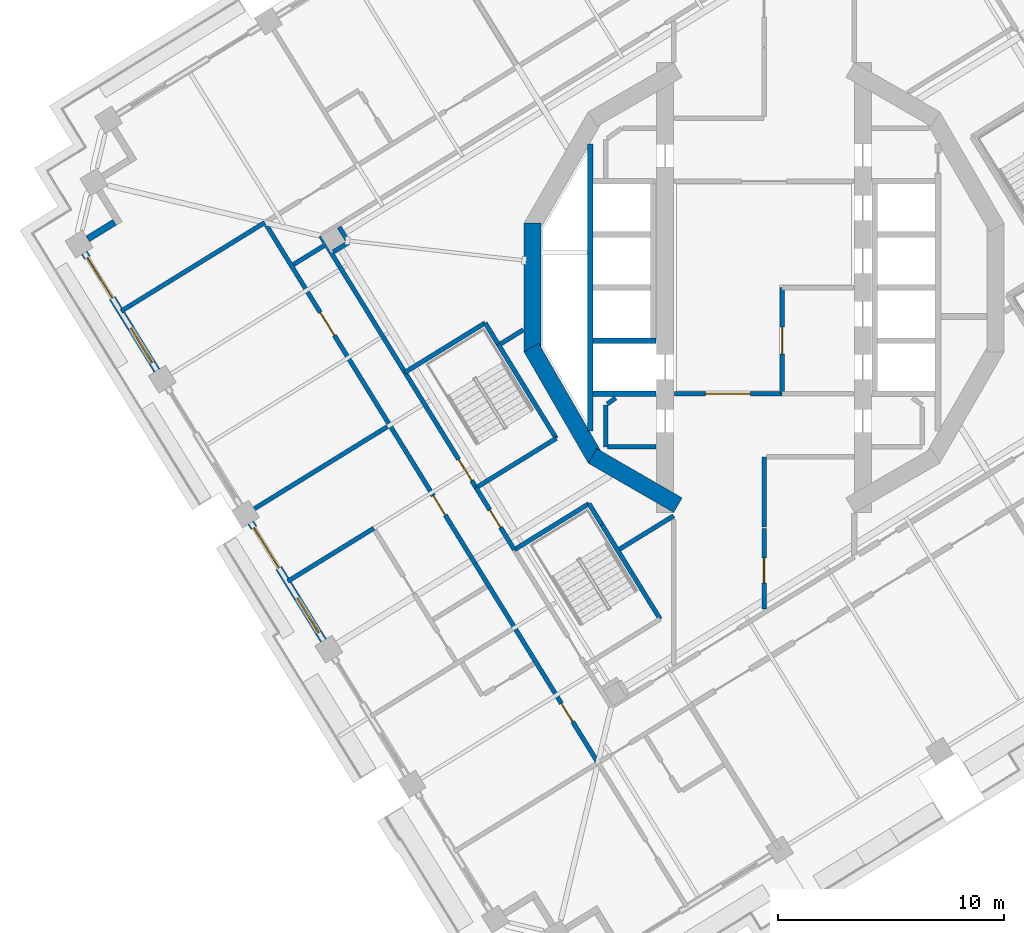
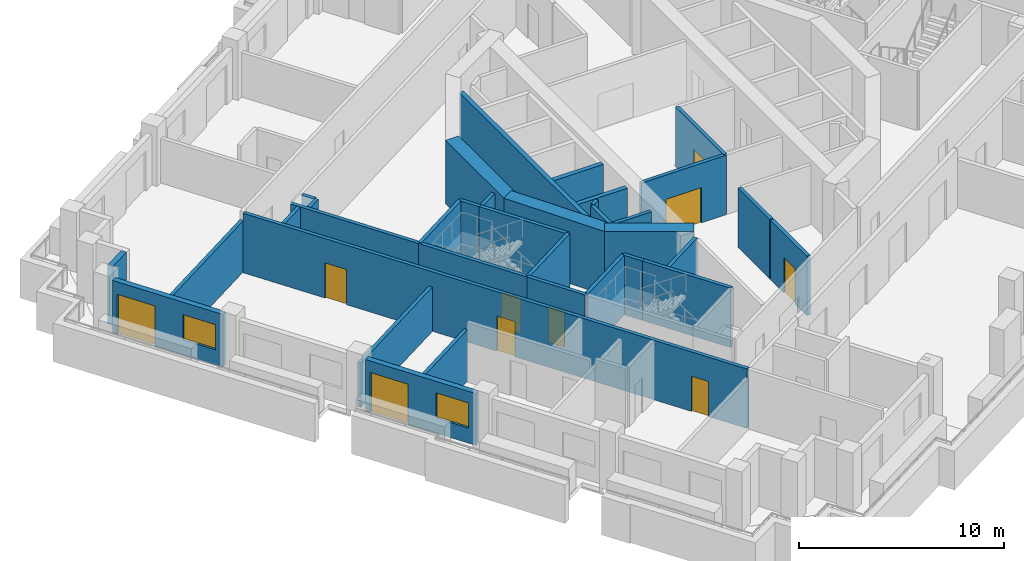
# One storey, part 5 of 21: 35 walls, 10 doors, 2 windows, 12 openings.
"""IFC4 building model written with IfcOpenShell, lengths in metres."""

from ifc_helpers import new_model, si_unit, direction, frame, frame_2d, origin, place, context, subcontext, project, spatial, rectangle, extrude, material, layer, layer_set, type_object, element, fill, save


model = new_model("IFC4")

# Units and contexts
model_context = context("Model", 3, precision=1e-05, world=origin(), true_north=direction((0.0, 1.0)))
body_context = subcontext(model_context, "Body", "Model", "MODEL_VIEW")
ifc_project = project(units=[si_unit("LENGTHUNIT", "METRE"), si_unit("AREAUNIT", "SQUARE_METRE"), si_unit("VOLUMEUNIT", "CUBIC_METRE"), si_unit("PLANEANGLEUNIT", "RADIAN"), si_unit("MASSUNIT", "GRAM", prefix="KILO")], contexts=[model_context])

# Site, building, storey
site_placement = place(None, origin())
site = spatial("IfcSite", under=ifc_project, at=site_placement, CompositionType="ELEMENT")
building_placement = place(site_placement, origin())
building = spatial("IfcBuilding", under=site, at=building_placement, Name="Cantera Rosa Tower", CompositionType="ELEMENT")
storey_placement = place(building_placement, frame((0.0, 0.0, 170.39990234375)))
storey = spatial("IfcBuildingStorey", under=building, at=storey_placement, Name="L37", CompositionType="ELEMENT", Elevation=170.39990234375)

# Wall, openings, doors
ifc_material_1 = material(Name="Gypsum board partition")
ifc_layer_1 = layer(ifc_material_1, 0.199951171875)
ifc_layer_set_1 = layer_set([ifc_layer_1], Name="CORRIDOR WALL 200 H3550")
wall_type_1 = type_object("IfcWallType", Name="CORRIDOR WALL 200 H3550", PredefinedType="PARTITIONING", material=ifc_layer_set_1)
wall_1_placement = place(storey_placement, frame((-22.037109375, 2.77392578125, 0.0), z_axis=(0.0, 0.0, 1.0), x_axis=(0.524973936666, -0.85111830307, 0.0)))
wall_1 = element("IfcWall", 1, at=wall_1_placement, inside=storey, type_object=wall_type_1, Name="CORRIDOR WALL L37-002", PredefinedType="PARTITIONING", context=body_context, shape_type="SweptSolid", body=[
    extrude(rectangle(XDim=27.97998046875, YDim=0.199951171875, at=frame_2d((13.989990234375, 0.0))), origin(), (0.0, 0.0, 1.0), 3.550048828125),
])
opening_1_placement = place(wall_1_placement, frame((4.550048828125, 0.0, 0.0)))
opening_1 = element("IfcOpeningElement", 2, at=opening_1_placement, cuts=wall_1, Name="Opening L37-043", PredefinedType="OPENING", context=body_context, shape_type="SweptSolid", body=[
    extrude(rectangle(XDim=1.199951171875, YDim=2.10009765625, at=frame_2d((0.60009765625, 1.050048828125))), frame((0.0, 0.10986328125, 0.0), z_axis=(0.0, -1.0, 0.0), x_axis=(1.0, 0.0, 0.0)), (0.0, 0.0, 1.0), 0.219970703125),
])
opening_2_placement = place(wall_1_placement, frame((14.0849609375, 0.0, 0.0)))
opening_2 = element("IfcOpeningElement", 3, at=opening_2_placement, cuts=wall_1, Name="Opening L37-044", PredefinedType="OPENING", context=body_context, shape_type="SweptSolid", body=[
    extrude(rectangle(XDim=1.0, YDim=2.10009765625, at=frame_2d((0.5, 1.050048828125))), frame((0.0, 0.10986328125, 0.0), z_axis=(0.0, -1.0, 0.0), x_axis=(1.0, 0.0, 0.0)), (0.0, 0.0, 1.0), 0.219970703125),
])
opening_3_placement = place(wall_1_placement, frame((24.889892578125, 0.0, 0.0)))
opening_3 = element("IfcOpeningElement", 4, at=opening_3_placement, cuts=wall_1, Name="Opening L37-047", PredefinedType="OPENING", context=body_context, shape_type="SweptSolid", body=[
    extrude(rectangle(XDim=0.949951171875, YDim=2.10009765625, at=frame_2d((0.47509765625, 1.050048828125))), frame((0.0, 0.10986328125, 0.0), z_axis=(0.0, -1.0, 0.0), x_axis=(1.0, 0.0, 0.0)), (0.0, 0.0, 1.0), 0.219970703125),
])
ifc_material_2 = material(Name="Timber door leaf", Category="wood")
door_type_1 = type_object("IfcDoorType", Name="ENTRANCE DOOR 1000x2100", OperationType="NOTDEFINED", PredefinedType="DOOR", material=ifc_material_2)
door_1_placement = place(opening_2_placement, origin())
door_1 = element("IfcDoor", 5, at=door_1_placement, inside=storey, type_object=door_type_1, Name="DOOR L37-044", OperationType="NOTDEFINED", OverallHeight=2.10009765625, OverallWidth=1.0, PredefinedType="DOOR", context=body_context, shape_type="SweptSolid", body=[
    extrude(rectangle(XDim=1.0, YDim=2.10009765625, at=frame_2d((0.5, 1.050048828125))), frame((0.0, 0.02490234375, 0.0), z_axis=(0.0, -1.0, 0.0), x_axis=(1.0, 0.0, 0.0)), (0.0, 0.0, 1.0), 0.050048828125),
])
fill(opening_2, door_1)
ifc_material_3 = material(Name="Timber door leaf", Category="wood")
door_type_2 = type_object("IfcDoorType", Name="ROOM DOOR 1200x2100", OperationType="NOTDEFINED", PredefinedType="DOOR", material=ifc_material_3)
door_2_placement = place(opening_1_placement, origin())
door_2 = element("IfcDoor", 6, at=door_2_placement, inside=storey, type_object=door_type_2, Name="DOOR L37-043", OperationType="NOTDEFINED", OverallHeight=2.10009765625, OverallWidth=1.199951171875, PredefinedType="DOOR", context=body_context, shape_type="SweptSolid", body=[
    extrude(rectangle(XDim=1.199951171875, YDim=2.10009765625, at=frame_2d((0.60009765625, 1.050048828125))), frame((0.0, 0.02490234375, 0.0), z_axis=(0.0, -1.0, 0.0), x_axis=(1.0, 0.0, 0.0)), (0.0, 0.0, 1.0), 0.050048828125),
])
fill(opening_1, door_2)
ifc_material_4 = material(Name="Timber door leaf", Category="wood")
door_type_3 = type_object("IfcDoorType", Name="ROOM DOOR 950x2100", OperationType="NOTDEFINED", PredefinedType="DOOR", material=ifc_material_4)
door_3_placement = place(opening_3_placement, origin())
door_3 = element("IfcDoor", 7, at=door_3_placement, inside=storey, type_object=door_type_3, Name="DOOR L37-047", OperationType="NOTDEFINED", OverallHeight=2.10009765625, OverallWidth=0.949951171875, PredefinedType="DOOR", context=body_context, shape_type="SweptSolid", body=[
    extrude(rectangle(XDim=0.949951171875, YDim=2.10009765625, at=frame_2d((0.47509765625, 1.050048828125))), frame((0.0, 0.02490234375, 0.0), z_axis=(0.0, -1.0, 0.0), x_axis=(1.0, 0.0, 0.0)), (0.0, 0.0, 1.0), 0.050048828125),
])
fill(opening_3, door_3)

# Walls
wall_2_placement = place(storey_placement, frame((-20.8349609375, 1.015380859375, 0.0), z_axis=(0.0, 0.0, 1.0), x_axis=(0.851143253059, 0.52493348414, 0.0)))
element("IfcWall", 8, at=wall_2_placement, inside=storey, type_object=wall_type_1, Name="CORRIDOR WALL L37-004", PredefinedType="PARTITIONING", context=body_context, shape_type="SweptSolid", body=[
    extrude(rectangle(XDim=1.579833984375, YDim=0.199951171875, at=frame_2d((0.7900390625, 0.0))), origin(), (0.0, 0.0, 1.0), 3.550048828125),
])
wall_3_placement = place(storey_placement, frame((-19.623291015625, 2.2890625, 0.0), z_axis=(0.0, 0.0, 1.0), x_axis=(0.524973806956, -0.851118383076, 0.0)))
element("IfcWall", 9, at=wall_3_placement, inside=storey, type_object=wall_type_1, Name="CORRIDOR WALL L37-005", PredefinedType="PARTITIONING", context=body_context, shape_type="SweptSolid", body=[
    extrude(rectangle(XDim=7.100830078125, YDim=0.199951171875, at=frame_2d((3.55029296875, 0.0))), origin(), (0.0, 0.0, 1.0), 3.550048828125),
])

# Wall, opening, door
wall_4_placement = place(storey_placement, frame((-12.74560546875, -8.861328125, 0.0), z_axis=(0.0, 0.0, 1.0), x_axis=(0.524959112102, -0.851127446756, 0.0)))
wall_4 = element("IfcWall", 10, at=wall_4_placement, inside=storey, type_object=wall_type_1, Name="CORRIDOR WALL L37-016", PredefinedType="PARTITIONING", context=body_context, shape_type="SweptSolid", body=[
    extrude(rectangle(XDim=3.223876953125, YDim=0.199951171875, at=frame_2d((1.61181640625, 0.0))), origin(), (0.0, 0.0, 1.0), 3.550048828125),
])
opening_4_placement = place(wall_4_placement, frame((1.161865234375, 0.0, 0.0)))
opening_4 = element("IfcOpeningElement", 11, at=opening_4_placement, cuts=wall_4, Name="Opening L37-007", PredefinedType="OPENING", context=body_context, shape_type="SweptSolid", body=[
    extrude(rectangle(XDim=0.89990234375, YDim=2.10009765625, at=frame_2d((0.449951171875, 1.050048828125))), frame((0.0, 0.10986328125, 0.0), z_axis=(0.0, -1.0, 0.0), x_axis=(1.0, 0.0, 0.0)), (0.0, 0.0, 1.0), 0.219970703125),
])
ifc_material_5 = material(Name="Timber door leaf", Category="wood")
door_type_4 = type_object("IfcDoorType", Name="SERVICE DOOR 900x2100", OperationType="NOTDEFINED", PredefinedType="DOOR", material=ifc_material_5)
door_4_placement = place(opening_4_placement, origin())
door_4 = element("IfcDoor", 12, at=door_4_placement, inside=storey, type_object=door_type_4, Name="DOOR L37-007", OperationType="NOTDEFINED", OverallHeight=2.10009765625, OverallWidth=0.89990234375, PredefinedType="DOOR", context=body_context, shape_type="SweptSolid", body=[
    extrude(rectangle(XDim=0.89990234375, YDim=2.10009765625, at=frame_2d((0.449951171875, 1.050048828125))), frame((0.0, 0.02490234375, 0.0), z_axis=(0.0, -1.0, 0.0), x_axis=(1.0, 0.0, 0.0)), (0.0, 0.0, 1.0), 0.050048828125),
])
fill(opening_4, door_4)

wall_5_placement = place(storey_placement, frame((0.0, -10.6552734375, 0.0), z_axis=(0.0, 0.0, 1.0), x_axis=(0.0, -1.0, 0.0)))
wall_5 = element("IfcWall", 13, at=wall_5_placement, inside=storey, type_object=wall_type_1, Name="CORRIDOR WALL L37-061", PredefinedType="PARTITIONING", context=body_context, shape_type="SweptSolid", body=[
    extrude(rectangle(XDim=3.57763671875, YDim=0.199951171875, at=frame_2d((1.788818359375, 0.0))), origin(), (0.0, 0.0, 1.0), 3.550048828125),
])
opening_5_placement = place(wall_5_placement, frame((1.31884765625, 0.0, 0.0)))
opening_5 = element("IfcOpeningElement", 14, at=opening_5_placement, cuts=wall_5, Name="Opening L37-017", PredefinedType="OPENING", context=body_context, shape_type="SweptSolid", body=[
    extrude(rectangle(XDim=1.10009765625, YDim=2.10009765625, at=frame_2d((0.550048828125, 1.050048828125))), frame((0.0, 0.10986328125, 0.0), z_axis=(0.0, -1.0, 0.0), x_axis=(1.0, 0.0, 0.0)), (0.0, 0.0, 1.0), 0.219970703125),
])
ifc_material_6 = material(Name="Timber door leaf", Category="wood")
door_type_5 = type_object("IfcDoorType", Name="ROOM DOOR 1100x2100", OperationType="NOTDEFINED", PredefinedType="DOOR", material=ifc_material_6)
door_5_placement = place(opening_5_placement, origin())
door_5 = element("IfcDoor", 15, at=door_5_placement, inside=storey, type_object=door_type_5, Name="DOOR L37-017", OperationType="NOTDEFINED", OverallHeight=2.10009765625, OverallWidth=1.10009765625, PredefinedType="DOOR", context=body_context, shape_type="SweptSolid", body=[
    extrude(rectangle(XDim=1.10009765625, YDim=2.10009765625, at=frame_2d((0.550048828125, 1.050048828125))), frame((0.0, 0.02490234375, 0.0), z_axis=(0.0, -1.0, 0.0), x_axis=(1.0, 0.0, 0.0)), (0.0, 0.0, 1.0), 0.050048828125),
])
fill(opening_5, door_5)

# Wall
wall_6_placement = place(storey_placement, frame((0.0, -7.5, 0.0), z_axis=(0.0, 0.0, 1.0), x_axis=(0.0, -1.0, 0.0)))
element("IfcWall", 16, at=wall_6_placement, inside=storey, type_object=wall_type_1, Name="CORRIDOR WALL L37-062", PredefinedType="PARTITIONING", context=body_context, shape_type="SweptSolid", body=[
    extrude(rectangle(XDim=3.09521484375, YDim=0.199951171875, at=frame_2d((1.547607421875, 0.0))), origin(), (0.0, 0.0, 1.0), 3.550048828125),
])

# Wall, opening, door
wall_7_placement = place(storey_placement, frame((0.800048828125, -4.699951171875, 0.0), z_axis=(0.0, 0.0, 1.0), x_axis=(-1.0, 0.0, 0.0)))
wall_7 = element("IfcWall", 17, at=wall_7_placement, inside=storey, type_object=wall_type_1, Name="CORRIDOR WALL L37-066", PredefinedType="PARTITIONING", context=body_context, shape_type="SweptSolid", body=[
    extrude(rectangle(XDim=4.77001953125, YDim=0.199951171875, at=frame_2d((2.385009765625, 0.0))), origin(), (0.0, 0.0, 1.0), 3.550048828125),
])
opening_6_placement = place(wall_7_placement, frame((1.39990234375, 0.0, 0.0)))
opening_6 = element("IfcOpeningElement", 18, at=opening_6_placement, cuts=wall_7, Name="Opening L37-014", PredefinedType="OPENING", context=body_context, shape_type="SweptSolid", body=[
    extrude(rectangle(XDim=2.0, YDim=2.10009765625, at=frame_2d((1.0, 1.050048828125))), frame((0.0, 0.10986328125, 0.0), z_axis=(0.0, -1.0, 0.0), x_axis=(1.0, 0.0, 0.0)), (0.0, 0.0, 1.0), 0.219970703125),
])
ifc_material_7 = material(Name="Steel S355J2 (EN 10025-2)", Category="steel")
door_type_6 = type_object("IfcDoorType", Name="LOBBY SCREEN DOOR 2000x2100", OperationType="NOTDEFINED", PredefinedType="DOOR", material=ifc_material_7)
door_6_placement = place(opening_6_placement, origin())
door_6 = element("IfcDoor", 19, at=door_6_placement, inside=storey, type_object=door_type_6, Name="DOOR L37-014", OperationType="NOTDEFINED", OverallHeight=2.10009765625, OverallWidth=2.0, PredefinedType="DOOR", context=body_context, shape_type="SweptSolid", body=[
    extrude(rectangle(XDim=2.0, YDim=2.10009765625, at=frame_2d((1.0, 1.050048828125))), frame((0.0, 0.02490234375, 0.0), z_axis=(0.0, -1.0, 0.0), x_axis=(1.0, 0.0, 0.0)), (0.0, 0.0, 1.0), 0.050048828125),
])
fill(opening_6, door_6)

# Wall
ifc_material_8 = material(Name="Hollow clay masonry with cantera stone cladding", Category="masonry")
ifc_layer_2 = layer(ifc_material_8, 0.300048828125)
ifc_layer_set_2 = layer_set([ifc_layer_2], Name="EW-LOGGIA 300")
wall_type_2 = type_object("IfcWallType", Name="EW-LOGGIA 300", PredefinedType="SOLIDWALL", material=ifc_layer_set_2)
wall_8_placement = place(storey_placement, frame((-28.74658203125, 2.888916015625, 0.0), z_axis=(0.0, 0.0, 1.0), x_axis=(-0.851040987269, -0.525099264891, 0.0)))
element("IfcWall", 20, at=wall_8_placement, inside=storey, type_object=wall_type_2, Name="EN-L37-W14b", PredefinedType="SOLIDWALL", context=body_context, shape_type="SweptSolid", body=[
    extrude(rectangle(XDim=1.39990234375, YDim=0.300048828125, at=frame_2d((0.699951171875, 0.0))), origin(), (0.0, 0.0, 1.0), 3.5),
])

# Wall, openings, window, door
ifc_material_9 = material(Name="Hollow clay masonry with cantera stone cladding", Category="masonry")
ifc_layer_3 = layer(ifc_material_9, 0.300048828125)
ifc_layer_set_3 = layer_set([ifc_layer_3], Name="EW-LOGGIA 300 H3090")
wall_type_3 = type_object("IfcWallType", Name="EW-LOGGIA 300 H3090", PredefinedType="SOLIDWALL", material=ifc_layer_set_3)
wall_9_placement = place(storey_placement, frame((-22.714111328125, -10.4150390625, 0.0), z_axis=(0.0, 0.0, 1.0), x_axis=(0.524987447654, -0.851109969279, 0.0)))
wall_9 = element("IfcWall", 21, at=wall_9_placement, inside=storey, type_object=wall_type_3, Name="EN-L37-W17", PredefinedType="SOLIDWALL", context=body_context, shape_type="SweptSolid", body=[
    extrude(rectangle(XDim=6.119873046875, YDim=0.300048828125, at=frame_2d((3.06005859375, 0.0))), origin(), (0.0, 0.0, 1.0), 3.090087890625),
])
opening_7_placement = place(wall_9_placement, frame((0.2548828125, 0.0, 0.0)))
opening_7 = element("IfcOpeningElement", 22, at=opening_7_placement, cuts=wall_9, Name="Opening L37-TD25", PredefinedType="OPENING", context=body_context, shape_type="SweptSolid", body=[
    extrude(rectangle(XDim=2.10009765625, YDim=2.39990234375, at=frame_2d((1.050048828125, 1.199951171875))), frame((0.0, 0.159912109375, 0.0), z_axis=(0.0, -1.0, 0.0), x_axis=(1.0, 0.0, 0.0)), (0.0, 0.0, 1.0), 0.320068359375),
])
opening_8_placement = place(wall_9_placement, frame((3.9150390625, 0.0, 0.89990234375)))
opening_8 = element("IfcOpeningElement", 23, at=opening_8_placement, cuts=wall_9, Name="Opening L37-W26", PredefinedType="OPENING", context=body_context, shape_type="SweptSolid", body=[
    extrude(rectangle(XDim=1.800048828125, YDim=1.5, at=frame_2d((0.89990234375, 0.75))), frame((0.0, 0.159912109375, 0.0), z_axis=(0.0, -1.0, 0.0), x_axis=(1.0, 0.0, 0.0)), (0.0, 0.0, 1.0), 0.320068359375),
])
ifc_material_10 = material(Name="Aluminium frame with clear glass", Category="aluminium")
window_type = type_object("IfcWindowType", Name="Hotel room window 1800x1500", PartitioningType="DOUBLE_PANEL_VERTICAL", PredefinedType="WINDOW", material=ifc_material_10)
window_1_placement = place(opening_8_placement, origin())
window_1 = element("IfcWindow", 24, at=window_1_placement, inside=storey, type_object=window_type, Name="WINDOW L37-W26", OverallHeight=1.5, OverallWidth=1.800048828125, PartitioningType="SINGLE_PANEL", PredefinedType="WINDOW", context=body_context, shape_type="SweptSolid", body=[
    extrude(rectangle(XDim=1.800048828125, YDim=1.5, at=frame_2d((0.89990234375, 0.75))), frame((0.0, 0.030029296875, 0.0), z_axis=(0.0, -1.0, 0.0), x_axis=(1.0, 0.0, 0.0)), (0.0, 0.0, 1.0), 0.06005859375),
])
fill(opening_8, window_1)
ifc_material_11 = material(Name="Aluminium frame with clear glass", Category="aluminium")
door_type_7 = type_object("IfcDoorType", Name="TD-H 2100x2400", OperationType="NOTDEFINED", PredefinedType="DOOR", material=ifc_material_11)
door_7_placement = place(opening_7_placement, origin())
door_7 = element("IfcDoor", 25, at=door_7_placement, inside=storey, type_object=door_type_7, Name="LOGGIA DOOR L37-TD25", OperationType="SLIDING_TO_LEFT", OverallHeight=2.39990234375, OverallWidth=2.10009765625, PredefinedType="DOOR", context=body_context, shape_type="SweptSolid", body=[
    extrude(rectangle(XDim=2.10009765625, YDim=2.39990234375, at=frame_2d((1.050048828125, 1.199951171875))), frame((0.0, 0.02490234375, 0.0), z_axis=(0.0, -1.0, 0.0), x_axis=(1.0, 0.0, 0.0)), (0.0, 0.0, 1.0), 0.050048828125),
])
fill(opening_7, door_7)

ifc_material_12 = material(Name="Hollow clay masonry with cantera stone cladding", Category="masonry")
ifc_layer_4 = layer(ifc_material_12, 0.300048828125)
ifc_layer_set_4 = layer_set([ifc_layer_4], Name="EW-LOGGIA 300 H3140")
wall_type_4 = type_object("IfcWallType", Name="EW-LOGGIA 300 H3140", PredefinedType="SOLIDWALL", material=ifc_layer_set_4)
wall_10_placement = place(storey_placement, frame((-30.084716796875, 1.53466796875, 0.0), z_axis=(0.0, 0.0, 1.0), x_axis=(0.524987447654, -0.851109969279, 0.0)))
wall_10 = element("IfcWall", 26, at=wall_10_placement, inside=storey, type_object=wall_type_4, Name="EN-L37-W15", PredefinedType="SOLIDWALL", context=body_context, shape_type="SweptSolid", body=[
    extrude(rectangle(XDim=6.119873046875, YDim=0.300048828125, at=frame_2d((3.06005859375, 0.0))), origin(), (0.0, 0.0, 1.0), 3.14013671875),
])
opening_9_placement = place(wall_10_placement, frame((0.2548828125, 0.0, 0.0)))
opening_9 = element("IfcOpeningElement", 27, at=opening_9_placement, cuts=wall_10, Name="Opening L37-TD21", PredefinedType="OPENING", context=body_context, shape_type="SweptSolid", body=[
    extrude(rectangle(XDim=2.10009765625, YDim=2.39990234375, at=frame_2d((1.050048828125, 1.199951171875))), frame((0.0, 0.159912109375, 0.0), z_axis=(0.0, -1.0, 0.0), x_axis=(1.0, 0.0, 0.0)), (0.0, 0.0, 1.0), 0.320068359375),
])
opening_10_placement = place(wall_10_placement, frame((3.9150390625, 0.0, 0.89990234375)))
opening_10 = element("IfcOpeningElement", 28, at=opening_10_placement, cuts=wall_10, Name="Opening L37-W22", PredefinedType="OPENING", context=body_context, shape_type="SweptSolid", body=[
    extrude(rectangle(XDim=1.800048828125, YDim=1.5, at=frame_2d((0.89990234375, 0.75))), frame((0.0, 0.159912109375, 0.0), z_axis=(0.0, -1.0, 0.0), x_axis=(1.0, 0.0, 0.0)), (0.0, 0.0, 1.0), 0.320068359375),
])
window_2_placement = place(opening_10_placement, origin())
window_2 = element("IfcWindow", 29, at=window_2_placement, inside=storey, type_object=window_type, Name="WINDOW L37-W22", OverallHeight=1.5, OverallWidth=1.800048828125, PartitioningType="SINGLE_PANEL", PredefinedType="WINDOW", context=body_context, shape_type="SweptSolid", body=[
    extrude(rectangle(XDim=1.800048828125, YDim=1.5, at=frame_2d((0.89990234375, 0.75))), frame((0.0, 0.030029296875, 0.0), z_axis=(0.0, -1.0, 0.0), x_axis=(1.0, 0.0, 0.0)), (0.0, 0.0, 1.0), 0.06005859375),
])
fill(opening_10, window_2)
door_8_placement = place(opening_9_placement, origin())
door_8 = element("IfcDoor", 30, at=door_8_placement, inside=storey, type_object=door_type_7, Name="LOGGIA DOOR L37-TD21", OperationType="SLIDING_TO_LEFT", OverallHeight=2.39990234375, OverallWidth=2.10009765625, PredefinedType="DOOR", context=body_context, shape_type="SweptSolid", body=[
    extrude(rectangle(XDim=2.10009765625, YDim=2.39990234375, at=frame_2d((1.050048828125, 1.199951171875))), frame((0.0, 0.02490234375, 0.0), z_axis=(0.0, -1.0, 0.0), x_axis=(1.0, 0.0, 0.0)), (0.0, 0.0, 1.0), 0.050048828125),
])
fill(opening_9, door_8)

# Walls
ifc_material_13 = material(Name="Gypsum board partition")
ifc_layer_5 = layer(ifc_material_13, 0.199951171875)
ifc_layer_set_5 = layer_set([ifc_layer_5], Name="PARTITION 200 H3050")
wall_type_5 = type_object("IfcWallType", Name="PARTITION 200 H3050", PredefinedType="PARTITIONING", material=ifc_layer_set_5)
wall_11_placement = place(storey_placement, frame((-22.10009765625, 2.876220703125, 0.0), z_axis=(0.0, 0.0, 1.0), x_axis=(-0.85111586596, -0.524977887831, 0.0)))
element("IfcWall", 31, at=wall_11_placement, inside=storey, type_object=wall_type_5, Name="PARTITION L37-001", PredefinedType="PARTITIONING", context=body_context, shape_type="SweptSolid", body=[
    extrude(rectangle(XDim=7.469970703125, YDim=0.199951171875, at=frame_2d((3.73486328125, 0.0))), origin(), (0.0, 0.0, 1.0), 3.050048828125),
])
wall_12_placement = place(storey_placement, frame((-21.082275390625, -13.003662109375, 0.0), z_axis=(0.0, 0.0, 1.0), x_axis=(0.851125318938, 0.524962561963, 0.0)))
element("IfcWall", 32, at=wall_12_placement, inside=storey, type_object=wall_type_5, Name="PARTITION L37-003", PredefinedType="PARTITIONING", context=body_context, shape_type="SweptSolid", body=[
    extrude(rectangle(XDim=4.47021484375, YDim=0.199951171875, at=frame_2d((2.235107421875, 0.0))), origin(), (0.0, 0.0, 1.0), 3.050048828125),
])
ifc_material_14 = material(Name="Gypsum board partition")
ifc_layer_6 = layer(ifc_material_14, 0.199951171875)
ifc_layer_set_6 = layer_set([ifc_layer_6], Name="PARTITION 200 H3550")
wall_type_6 = type_object("IfcWallType", Name="PARTITION 200 H3550", PredefinedType="PARTITIONING", material=ifc_layer_set_6)
wall_13_placement = place(storey_placement, frame((-19.065673828125, 1.575439453125, 0.0), z_axis=(0.0, 0.0, 1.0), x_axis=(0.85101860469, 0.525135539144, 0.0)))
element("IfcWall", 33, at=wall_13_placement, inside=storey, type_object=wall_type_6, Name="PARTITION L37-007", PredefinedType="PARTITIONING", context=body_context, shape_type="SweptSolid", body=[
    extrude(rectangle(XDim=0.800048828125, YDim=0.199951171875, at=frame_2d((0.39990234375, 0.0))), origin(), (0.0, 0.0, 1.0), 3.550048828125),
])
wall_14_placement = place(storey_placement, frame((-18.437255859375, 2.08056640625, 0.0), z_axis=(0.0, 0.0, 1.0), x_axis=(-0.524817119332, 0.851215008829, 0.0)))
element("IfcWall", 34, at=wall_14_placement, inside=storey, type_object=wall_type_6, Name="PARTITION L37-008", PredefinedType="PARTITIONING", context=body_context, shape_type="SweptSolid", body=[
    extrude(rectangle(XDim=0.7001953125, YDim=0.199951171875, at=frame_2d((0.35009765625, 0.0))), origin(), (0.0, 0.0, 1.0), 3.550048828125),
])
wall_15_placement = place(storey_placement, frame((-10.6552734375, -1.87255859375, 0.0), z_axis=(0.0, 0.0, 1.0), x_axis=(-0.851083160227, -0.525030908021, 0.0)))
element("IfcWall", 35, at=wall_15_placement, inside=storey, type_object=wall_type_6, Name="PARTITION L37-023", PredefinedType="PARTITIONING", context=body_context, shape_type="SweptSolid", body=[
    extrude(rectangle(XDim=1.181640625, YDim=0.199951171875, at=frame_2d((0.5908203125, 0.0))), origin(), (0.0, 0.0, 1.0), 3.550048828125),
])
wall_16_placement = place(storey_placement, frame((-7.0, -7.050048828125, 0.0), z_axis=(0.0, 0.0, 1.0), x_axis=(0.0, 1.0, 0.0)))
element("IfcWall", 36, at=wall_16_placement, inside=storey, type_object=wall_type_6, Name="PARTITION L37-037", PredefinedType="PARTITIONING", context=body_context, shape_type="SweptSolid", body=[
    extrude(rectangle(XDim=1.85009765625, YDim=0.199951171875, at=frame_2d((0.925048828125, 0.0))), origin(), (0.0, 0.0, 1.0), 3.550048828125),
])
wall_17_placement = place(storey_placement, frame((-6.935302734375, -5.15283203125, 0.0), z_axis=(0.0, 0.0, 1.0), x_axis=(0.808147744029, 0.58897981614, 0.0)))
element("IfcWall", 37, at=wall_17_placement, inside=storey, type_object=wall_type_6, Name="PARTITION L37-038", PredefinedType="PARTITIONING", context=body_context, shape_type="SweptSolid", body=[
    extrude(rectangle(XDim=0.448974609375, YDim=0.199951171875, at=frame_2d((0.224609375, 0.0))), origin(), (0.0, 0.0, 1.0), 3.550048828125),
])
wall_18_placement = place(storey_placement, frame((-4.780029296875, -7.050048828125, 0.0), z_axis=(0.0, 0.0, 1.0), x_axis=(-1.0, 0.0, 0.0)))
element("IfcWall", 38, at=wall_18_placement, inside=storey, type_object=wall_type_6, Name="PARTITION L37-047", PredefinedType="PARTITIONING", context=body_context, shape_type="SweptSolid", body=[
    extrude(rectangle(XDim=2.139892578125, YDim=0.199951171875, at=frame_2d((1.06982421875, 0.0))), origin(), (0.0, 0.0, 1.0), 3.550048828125),
])
wall_19_placement = place(storey_placement, frame((-4.0, -10.104248046875, 0.0), z_axis=(0.0, 0.0, 1.0), x_axis=(-0.851117804286, -0.524974745323, 0.0)))
element("IfcWall", 39, at=wall_19_placement, inside=storey, type_object=wall_type_6, Name="PARTITION L37-051", PredefinedType="PARTITIONING", context=body_context, shape_type="SweptSolid", body=[
    extrude(rectangle(XDim=2.809326171875, YDim=0.199951171875, at=frame_2d((1.40478515625, 0.0))), origin(), (0.0, 0.0, 1.0), 3.550048828125),
])
ifc_material_15 = material(Name="Gypsum board partition")
ifc_layer_7 = layer(ifc_material_15, 0.199951171875)
ifc_layer_set_7 = layer_set([ifc_layer_7], Name="PARTY WALL 200 H2650")
wall_type_7 = type_object("IfcWallType", Name="PARTY WALL 200 H2650", PredefinedType="PARTITIONING", material=ifc_layer_set_7)
wall_20_placement = place(storey_placement, frame((-16.669189453125, -6.15771484375, 0.0), z_axis=(0.0, 0.0, 1.0), x_axis=(-0.851109277096, -0.52498856982, 0.0)))
element("IfcWall", 40, at=wall_20_placement, inside=storey, type_object=wall_type_7, Name="PARTY WALL L37-012", PredefinedType="PARTITIONING", context=body_context, shape_type="SweptSolid", body=[
    extrude(rectangle(XDim=7.349853515625, YDim=0.199951171875, at=frame_2d((3.6748046875, 0.0))), origin(), (0.0, 0.0, 1.0), 2.650146484375),
])
ifc_material_16 = material(Name="Concrete C60/75", Category="concrete")
ifc_layer_8 = layer(ifc_material_16, 0.75)
ifc_layer_set_8 = layer_set([ifc_layer_8], Name="RC CORE WALL 750 C60/75")
wall_type_8 = type_object("IfcWallType", Name="RC CORE WALL 750 C60/75", PredefinedType="SHEAR", material=ifc_layer_set_8)
wall_21_placement = place(storey_placement, frame((-3.8125, -9.634765625, 0.0), z_axis=(0.0, 0.0, 1.0), x_axis=(-0.866013176292, 0.50002117804, 0.0)))
element("IfcWall", 41, at=wall_21_placement, inside=storey, type_object=wall_type_8, Name="CW-W1 L37", PredefinedType="SHEAR", context=body_context, shape_type="SweptSolid", body=[
    extrude(rectangle(XDim=4.362548828125, YDim=0.75, at=frame_2d((2.18115234375, 0.0))), origin(), (0.0, 0.0, 1.0), 3.800048828125),
])
wall_22_placement = place(storey_placement, frame((-7.453369140625, -7.590576171875, 0.0), z_axis=(0.0, 0.0, 1.0), x_axis=(-0.500021842983, 0.866012792365, 0.0)))
element("IfcWall", 42, at=wall_22_placement, inside=storey, type_object=wall_type_8, Name="CW-W2 L37", PredefinedType="SHEAR", context=body_context, shape_type="SweptSolid", body=[
    extrude(rectangle(XDim=5.694091796875, YDim=0.75, at=frame_2d((2.84716796875, 0.0))), origin(), (0.0, 0.0, 1.0), 3.800048828125),
])
wall_23_placement = place(storey_placement, frame((-10.250244140625, -2.846923828125, 0.0), z_axis=(0.0, 0.0, 1.0), x_axis=(0.0, 1.0, 0.0)))
element("IfcWall", 43, at=wall_23_placement, inside=storey, type_object=wall_type_8, Name="CW-W3 L37", PredefinedType="SHEAR", context=body_context, shape_type="SweptSolid", body=[
    extrude(rectangle(XDim=5.69384765625, YDim=0.75, at=frame_2d((2.846923828125, 0.0))), origin(), (0.0, 0.0, 1.0), 3.800048828125),
])
ifc_material_17 = material(Name="Masonry blockwork", Category="masonry")
ifc_layer_9 = layer(ifc_material_17, 0.25)
ifc_layer_set_9 = layer_set([ifc_layer_9], Name="SHAFT WALL 250 H3550")
wall_type_9 = type_object("IfcWallType", Name="SHAFT WALL 250 H3550", PredefinedType="SOLIDWALL", material=ifc_layer_set_9)
wall_24_placement = place(storey_placement, frame((-7.574951171875, -2.35009765625, 0.0), z_axis=(0.0, 0.0, 1.0), x_axis=(1.0, 0.0, 0.0)))
element("IfcWall", 44, at=wall_24_placement, inside=storey, type_object=wall_type_9, Name="SHAFT WALL L37-029", PredefinedType="SOLIDWALL", context=body_context, shape_type="SweptSolid", body=[
    extrude(rectangle(XDim=2.794921875, YDim=0.25, at=frame_2d((1.3974609375, 0.0))), origin(), (0.0, 0.0, 1.0), 3.550048828125),
])
wall_25_placement = place(storey_placement, frame((-7.699951171875, 6.353515625, 0.0), z_axis=(0.0, 0.0, 1.0), x_axis=(0.0, -1.0, 0.0)))
element("IfcWall", 45, at=wall_25_placement, inside=storey, type_object=wall_type_9, Name="SHAFT WALL L37-033", PredefinedType="SOLIDWALL", context=body_context, shape_type="SweptSolid", body=[
    extrude(rectangle(XDim=12.70703125, YDim=0.25, at=frame_2d((6.353515625, 0.0))), origin(), (0.0, 0.0, 1.0), 3.550048828125),
])
wall_26_placement = place(storey_placement, frame((-4.780029296875, -4.699951171875, 0.0), z_axis=(0.0, 0.0, 1.0), x_axis=(-1.0, 0.0, 0.0)))
element("IfcWall", 46, at=wall_26_placement, inside=storey, type_object=wall_type_9, Name="SHAFT WALL L37-048", PredefinedType="SOLIDWALL", context=body_context, shape_type="SweptSolid", body=[
    extrude(rectangle(XDim=2.794921875, YDim=0.25, at=frame_2d((1.3974609375, 0.0))), origin(), (0.0, 0.0, 1.0), 3.550048828125),
])

# Wall, opening, door
ifc_material_18 = material(Name="Concrete C50/60", Category="concrete")
ifc_layer_10 = layer(ifc_material_18, 0.199951171875)
ifc_layer_set_10 = layer_set([ifc_layer_10], Name="STAIR WALL 200 H3550")
wall_type_10 = type_object("IfcWallType", Name="STAIR WALL 200 H3550", PredefinedType="SOLIDWALL", material=ifc_layer_set_10)
wall_27_placement = place(storey_placement, frame((-15.8955078125, -3.754638671875, 0.0), z_axis=(0.0, 0.0, 1.0), x_axis=(0.524982543144, -0.851112994493, 0.0)))
wall_27 = element("IfcWall", 47, at=wall_27_placement, inside=storey, type_object=wall_type_10, Name="STAIR WALL L37-013", PredefinedType="SOLIDWALL", context=body_context, shape_type="SweptSolid", body=[
    extrude(rectangle(XDim=6.0, YDim=0.199951171875, at=frame_2d((3.0, 0.0))), origin(), (0.0, 0.0, 1.0), 3.550048828125),
])
opening_11_placement = place(wall_27_placement, frame((4.52490234375, 0.0, 0.0)))
opening_11 = element("IfcOpeningElement", 48, at=opening_11_placement, cuts=wall_27, Name="Opening L37-002", PredefinedType="OPENING", context=body_context, shape_type="SweptSolid", body=[
    extrude(rectangle(XDim=1.10009765625, YDim=2.10009765625, at=frame_2d((0.550048828125, 1.050048828125))), frame((0.0, 0.10986328125, 0.0), z_axis=(0.0, -1.0, 0.0), x_axis=(1.0, 0.0, 0.0)), (0.0, 0.0, 1.0), 0.219970703125),
])
ifc_material_19 = material(Name="Steel S355J2 (EN 10025-2)", Category="steel")
door_type_8 = type_object("IfcDoorType", Name="STAIR DOOR 1100x2100", OperationType="NOTDEFINED", PredefinedType="DOOR", material=ifc_material_19)
door_9_placement = place(opening_11_placement, origin())
door_9 = element("IfcDoor", 49, at=door_9_placement, inside=storey, type_object=door_type_8, Name="DOOR L37-002", OperationType="NOTDEFINED", OverallHeight=2.10009765625, OverallWidth=1.10009765625, PredefinedType="DOOR", context=body_context, shape_type="SweptSolid", body=[
    extrude(rectangle(XDim=1.10009765625, YDim=2.10009765625, at=frame_2d((0.550048828125, 1.050048828125))), frame((0.0, 0.02490234375, 0.0), z_axis=(0.0, -1.0, 0.0), x_axis=(1.0, 0.0, 0.0)), (0.0, 0.0, 1.0), 0.050048828125),
])
fill(opening_11, door_9)

# Walls
for number, where, z_axis, x_axis, name in (
    (50, (-12.74560546875, -8.861328125, 0.0), (0.0, 0.0, 1.0), (0.851120688733, 0.524970068871, 0.0), "STAIR WALL L37-017"),
    (51, (-12.349365234375, -1.5673828125, 0.0), (0.0, 0.0, 1.0), (-0.851120688733, -0.524970068871, 0.0), "STAIR WALL L37-019"),
):
    element("IfcWall", number, at=place(storey_placement, frame(where, z_axis=z_axis, x_axis=x_axis)), inside=storey, type_object=wall_type_10, Name=name, PredefinedType="SOLIDWALL", context=body_context, shape_type="SweptSolid", body=[
        extrude(rectangle(XDim=4.16650390625, YDim=0.199951171875, at=frame_2d((2.083251953125, 0.0))), origin(), (0.0, 0.0, 1.0), 3.550048828125),
    ])
wall_28_placement = place(storey_placement, frame((-9.199462890625, -6.674072265625, 0.0), z_axis=(0.0, 0.0, 1.0), x_axis=(-0.524942245614, 0.851137849452, 0.0)))
element("IfcWall", 52, at=wall_28_placement, inside=storey, type_object=wall_type_10, Name="STAIR WALL L37-025", PredefinedType="SOLIDWALL", context=body_context, shape_type="SweptSolid", body=[
    extrude(rectangle(XDim=4.900146484375, YDim=0.199951171875, at=frame_2d((2.4501953125, 0.0))), origin(), (0.0, 0.0, 1.0), 3.550048828125),
])
wall_29_placement = place(storey_placement, frame((-7.749267578125, -9.5673828125, 0.0), z_axis=(0.0, 0.0, 1.0), x_axis=(-0.851124503894, -0.524963883397, 0.0)))
element("IfcWall", 53, at=wall_29_placement, inside=storey, type_object=wall_type_10, Name="STAIR WALL L37-028", PredefinedType="SOLIDWALL", context=body_context, shape_type="SweptSolid", body=[
    extrude(rectangle(XDim=3.8818359375, YDim=0.199951171875, at=frame_2d((1.94091796875, 0.0))), origin(), (0.0, 0.0, 1.0), 3.550048828125),
])
wall_30_placement = place(storey_placement, frame((-4.599365234375, -14.674072265625, 0.0), z_axis=(0.0, 0.0, 1.0), x_axis=(-0.524978338244, 0.85111558814, 0.0)))
element("IfcWall", 54, at=wall_30_placement, inside=storey, type_object=wall_type_10, Name="STAIR WALL L37-050", PredefinedType="SOLIDWALL", context=body_context, shape_type="SweptSolid", body=[
    extrude(rectangle(XDim=4.900146484375, YDim=0.199951171875, at=frame_2d((2.4501953125, 0.0))), origin(), (0.0, 0.0, 1.0), 3.550048828125),
])

# Wall, opening, door
wall_31_placement = place(storey_placement, frame((0.800048828125, -4.699951171875, 0.0), z_axis=(0.0, 0.0, 1.0), x_axis=(0.0, 1.0, 0.0)))
wall_31 = element("IfcWall", 55, at=wall_31_placement, inside=storey, type_object=wall_type_10, Name="STAIR WALL L37-067", PredefinedType="SOLIDWALL", context=body_context, shape_type="SweptSolid", body=[
    extrude(rectangle(XDim=4.699951171875, YDim=0.199951171875, at=frame_2d((2.35009765625, 0.0))), origin(), (0.0, 0.0, 1.0), 3.550048828125),
])
opening_12_placement = place(wall_31_placement, frame((1.75, 0.0, 0.0)))
opening_12 = element("IfcOpeningElement", 56, at=opening_12_placement, cuts=wall_31, Name="Opening L37-015", PredefinedType="OPENING", context=body_context, shape_type="SweptSolid", body=[
    extrude(rectangle(XDim=1.199951171875, YDim=2.10009765625, at=frame_2d((0.60009765625, 1.050048828125))), frame((0.0, 0.10986328125, 0.0), z_axis=(0.0, -1.0, 0.0), x_axis=(1.0, 0.0, 0.0)), (0.0, 0.0, 1.0), 0.219970703125),
])
ifc_material_20 = material(Name="Steel S355J2 (EN 10025-2)", Category="steel")
door_type_9 = type_object("IfcDoorType", Name="FIRE DOOR 1200x2100", OperationType="NOTDEFINED", PredefinedType="DOOR", material=ifc_material_20)
door_10_placement = place(opening_12_placement, origin())
door_10 = element("IfcDoor", 57, at=door_10_placement, inside=storey, type_object=door_type_9, Name="DOOR L37-015", OperationType="NOTDEFINED", OverallHeight=2.10009765625, OverallWidth=1.199951171875, PredefinedType="DOOR", context=body_context, shape_type="SweptSolid", body=[
    extrude(rectangle(XDim=1.199951171875, YDim=2.10009765625, at=frame_2d((0.60009765625, 1.050048828125))), frame((0.0, 0.02490234375, 0.0), z_axis=(0.0, -1.0, 0.0), x_axis=(1.0, 0.0, 0.0)), (0.0, 0.0, 1.0), 0.050048828125),
])
fill(opening_12, door_10)

# Walls
for number, where, z_axis, x_axis, name in (
    (58, (-11.771728515625, -2.50341796875, 0.0), (0.0, 0.0, 1.0), (-0.525162052325, 0.851002243709, 0.0), "STAIR WALL L37-025 J"),
    (59, (-7.171875, -10.50341796875, 0.0), (0.0, 0.0, 1.0), (-0.52500127828, 0.851101438023, 0.0), "STAIR WALL L37-050 J"),
):
    element("IfcWall", number, at=place(storey_placement, frame(where, z_axis=z_axis, x_axis=x_axis)), inside=storey, type_object=wall_type_10, Name=name, PredefinedType="SOLIDWALL", context=body_context, shape_type="SweptSolid", body=[
        extrude(rectangle(XDim=1.099853515625, YDim=0.199951171875, at=frame_2d((0.5498046875, 0.0))), origin(), (0.0, 0.0, 1.0), 3.550048828125),
    ])

save(model, "model.ifc")
